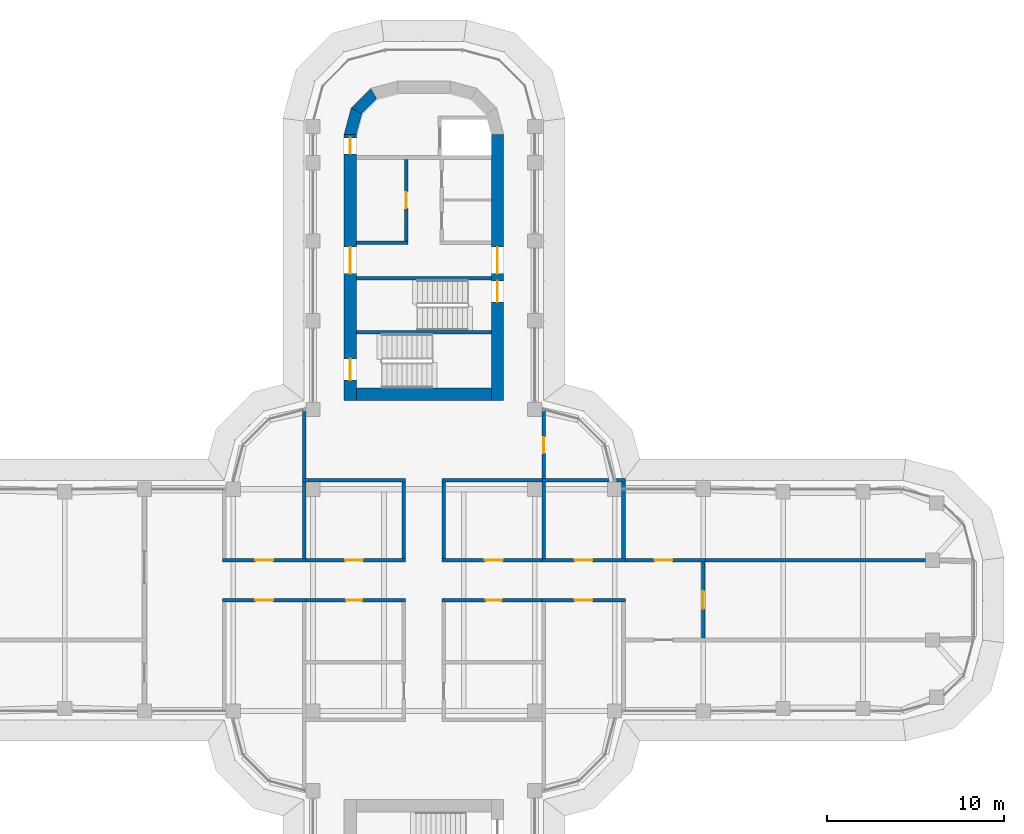
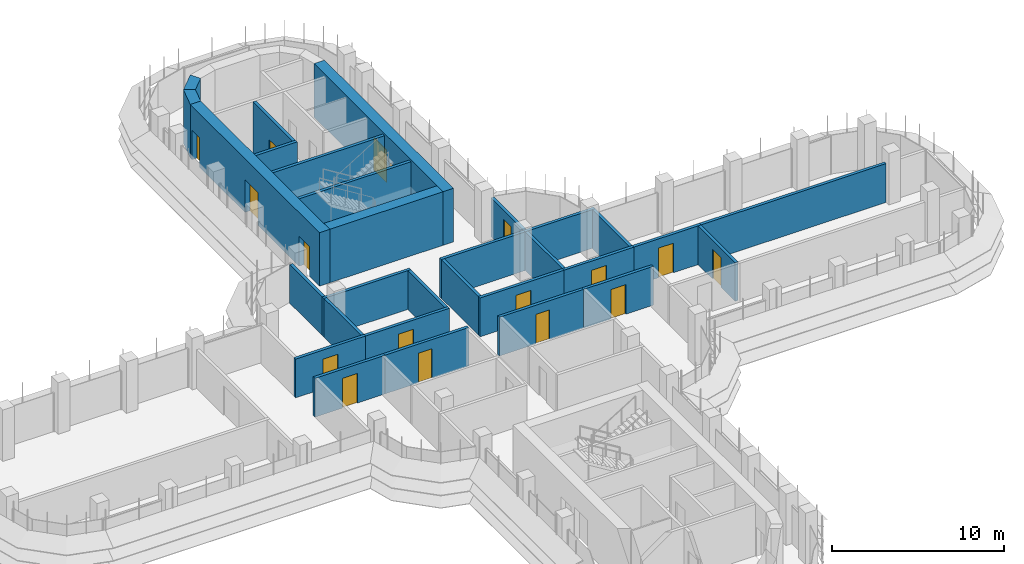
# One storey, part 14 of 19: 30 walls, 17 doors, 17 openings.
"""IFC4 building model written with IfcOpenShell, lengths in metres."""

from ifc_helpers import new_model, si_unit, direction, frame, frame_2d, origin, place, context, subcontext, project, spatial, polyline, rectangle, outline, extrude, material, layer, layer_set, type_object, element, fill, save


model = new_model("IFC4")

# Units and contexts
model_context = context("Model", 3, precision=1e-05, world=origin(), true_north=direction((0.0, 1.0)))
body_context = subcontext(model_context, "Body", "Model", "MODEL_VIEW")
ifc_project = project(units=[si_unit("LENGTHUNIT", "METRE"), si_unit("AREAUNIT", "SQUARE_METRE"), si_unit("VOLUMEUNIT", "CUBIC_METRE"), si_unit("PLANEANGLEUNIT", "RADIAN"), si_unit("MASSUNIT", "GRAM", prefix="KILO")], contexts=[model_context])

# Site, building, storey
site_placement = place(None, origin())
site = spatial("IfcSite", under=ifc_project, at=site_placement, CompositionType="ELEMENT")
building_placement = place(site_placement, origin())
building = spatial("IfcBuilding", under=site, at=building_placement, Name="Zarbagh Exchange Tower", CompositionType="ELEMENT")
storey_placement = place(building_placement, frame((0.0, 0.0, 182.800048828125)))
storey = spatial("IfcBuildingStorey", under=building, at=storey_placement, Name="L44", CompositionType="ELEMENT", Elevation=182.800048828125)

# Wall, opening, door
ifc_material_1 = material(Name="Fire-rated plasterboard partition")
ifc_layer_1 = layer(ifc_material_1, 0.199951171875)
ifc_layer_set_1 = layer_set([ifc_layer_1], Name="RATED PARTITION 200")
wall_type_1 = type_object("IfcWallType", Name="RATED PARTITION 200", PredefinedType="PARTITIONING", material=ifc_layer_set_1)
wall_1_placement = place(storey_placement, frame((1.02490234375, 2.25, 0.0), z_axis=(0.0, 0.0, 1.0), x_axis=(1.0, 0.0, 0.0)))
wall_1 = element("IfcWall", 1, at=wall_1_placement, inside=storey, type_object=wall_type_1, Name="Partition W-1901", PredefinedType="PARTITIONING", context=body_context, shape_type="SweptSolid", body=[
    extrude(rectangle(XDim=5.8251953125, YDim=0.199951171875, at=frame_2d((2.91259765625, 0.0))), origin(), (0.0, 0.0, 1.0), 2.75),
])
opening_1_placement = place(wall_1_placement, frame((2.41259765625, 0.0, 0.0)))
opening_1 = element("IfcOpeningElement", 2, at=opening_1_placement, cuts=wall_1, Name="Opening D-1904", PredefinedType="OPENING", context=body_context, shape_type="SweptSolid", body=[
    extrude(rectangle(XDim=1.0, YDim=2.10009765625, at=frame_2d((0.5, 1.050048828125))), frame((0.0, 0.10986328125, 0.0), z_axis=(0.0, -1.0, 0.0), x_axis=(1.0, 0.0, 0.0)), (0.0, 0.0, 1.0), 0.219970703125),
])
ifc_material_2 = material(Name="Steel door set", Category="steel")
door_type_1 = type_object("IfcDoorType", Name="FIRE DOOR 1000 X 2100 FD30S", OperationType="NOTDEFINED", PredefinedType="DOOR", material=ifc_material_2)
door_1_placement = place(opening_1_placement, origin())
door_1 = element("IfcDoor", 3, at=door_1_placement, inside=storey, type_object=door_type_1, Name="Door D-1904", OperationType="SINGLE_SWING_RIGHT", OverallHeight=2.10009765625, OverallWidth=1.0, PredefinedType="DOOR", context=body_context, shape_type="SweptSolid", body=[
    extrude(rectangle(XDim=1.0, YDim=2.10009765625, at=frame_2d((0.5, 1.050048828125))), frame((0.0, 0.02490234375, 0.0), z_axis=(0.0, -1.0, 0.0), x_axis=(1.0, 0.0, 0.0)), (0.0, 0.0, 1.0), 0.050048828125),
])
fill(opening_1, door_1)

wall_2_placement = place(storey_placement, frame((6.64990234375, 2.25, 0.0), z_axis=(0.0, 0.0, 1.0), x_axis=(1.0, 0.0, 0.0)))
wall_2 = element("IfcWall", 4, at=wall_2_placement, inside=storey, type_object=wall_type_1, Name="Partition W-1902", PredefinedType="PARTITIONING", context=body_context, shape_type="SweptSolid", body=[
    extrude(rectangle(XDim=4.7001953125, YDim=0.199951171875, at=frame_2d((2.35009765625, 0.0))), origin(), (0.0, 0.0, 1.0), 2.75),
])
opening_2_placement = place(wall_2_placement, frame((1.85009765625, 0.0, 0.0)))
opening_2 = element("IfcOpeningElement", 5, at=opening_2_placement, cuts=wall_2, Name="Opening D-1905", PredefinedType="OPENING", context=body_context, shape_type="SweptSolid", body=[
    extrude(rectangle(XDim=1.0, YDim=2.10009765625, at=frame_2d((0.5, 1.050048828125))), frame((0.0, 0.10986328125, 0.0), z_axis=(0.0, -1.0, 0.0), x_axis=(1.0, 0.0, 0.0)), (0.0, 0.0, 1.0), 0.219970703125),
])
door_2_placement = place(opening_2_placement, origin())
door_2 = element("IfcDoor", 6, at=door_2_placement, inside=storey, type_object=door_type_1, Name="Door D-1905", OperationType="SINGLE_SWING_RIGHT", OverallHeight=2.10009765625, OverallWidth=1.0, PredefinedType="DOOR", context=body_context, shape_type="SweptSolid", body=[
    extrude(rectangle(XDim=1.0, YDim=2.10009765625, at=frame_2d((0.5, 1.050048828125))), frame((0.0, 0.02490234375, 0.0), z_axis=(0.0, -1.0, 0.0), x_axis=(1.0, 0.0, 0.0)), (0.0, 0.0, 1.0), 0.050048828125),
])
fill(opening_2, door_2)

wall_3_placement = place(storey_placement, frame((-6.85009765625, 2.25, 0.0), z_axis=(0.0, 0.0, 1.0), x_axis=(1.0, 0.0, 0.0)))
wall_3 = element("IfcWall", 7, at=wall_3_placement, inside=storey, type_object=wall_type_1, Name="Partition W-1903", PredefinedType="PARTITIONING", context=body_context, shape_type="SweptSolid", body=[
    extrude(rectangle(XDim=5.8251953125, YDim=0.199951171875, at=frame_2d((2.91259765625, 0.0))), origin(), (0.0, 0.0, 1.0), 2.75),
])
opening_3_placement = place(wall_3_placement, frame((2.41259765625, 0.0, 0.0)))
opening_3 = element("IfcOpeningElement", 8, at=opening_3_placement, cuts=wall_3, Name="Opening D-1907", PredefinedType="OPENING", context=body_context, shape_type="SweptSolid", body=[
    extrude(rectangle(XDim=1.0, YDim=2.10009765625, at=frame_2d((0.5, 1.050048828125))), frame((0.0, 0.10986328125, 0.0), z_axis=(0.0, -1.0, 0.0), x_axis=(1.0, 0.0, 0.0)), (0.0, 0.0, 1.0), 0.219970703125),
])
door_3_placement = place(opening_3_placement, origin())
door_3 = element("IfcDoor", 9, at=door_3_placement, inside=storey, type_object=door_type_1, Name="Door D-1907", OperationType="SINGLE_SWING_RIGHT", OverallHeight=2.10009765625, OverallWidth=1.0, PredefinedType="DOOR", context=body_context, shape_type="SweptSolid", body=[
    extrude(rectangle(XDim=1.0, YDim=2.10009765625, at=frame_2d((0.5, 1.050048828125))), frame((0.0, 0.02490234375, 0.0), z_axis=(0.0, -1.0, 0.0), x_axis=(1.0, 0.0, 0.0)), (0.0, 0.0, 1.0), 0.050048828125),
])
fill(opening_3, door_3)

wall_4_placement = place(storey_placement, frame((-11.35009765625, 2.25, 0.0), z_axis=(0.0, 0.0, 1.0), x_axis=(1.0, 0.0, 0.0)))
wall_4 = element("IfcWall", 10, at=wall_4_placement, inside=storey, type_object=wall_type_1, Name="Partition W-1904", PredefinedType="PARTITIONING", context=body_context, shape_type="SweptSolid", body=[
    extrude(rectangle(XDim=4.7001953125, YDim=0.199951171875, at=frame_2d((2.35009765625, 0.0))), origin(), (0.0, 0.0, 1.0), 2.75),
])
opening_4_placement = place(wall_4_placement, frame((1.85009765625, 0.0, 0.0)))
opening_4 = element("IfcOpeningElement", 11, at=opening_4_placement, cuts=wall_4, Name="Opening D-1908", PredefinedType="OPENING", context=body_context, shape_type="SweptSolid", body=[
    extrude(rectangle(XDim=1.0, YDim=2.10009765625, at=frame_2d((0.5, 1.050048828125))), frame((0.0, 0.10986328125, 0.0), z_axis=(0.0, -1.0, 0.0), x_axis=(1.0, 0.0, 0.0)), (0.0, 0.0, 1.0), 0.219970703125),
])
door_4_placement = place(opening_4_placement, origin())
door_4 = element("IfcDoor", 12, at=door_4_placement, inside=storey, type_object=door_type_1, Name="Door D-1908", OperationType="SINGLE_SWING_RIGHT", OverallHeight=2.10009765625, OverallWidth=1.0, PredefinedType="DOOR", context=body_context, shape_type="SweptSolid", body=[
    extrude(rectangle(XDim=1.0, YDim=2.10009765625, at=frame_2d((0.5, 1.050048828125))), frame((0.0, 0.02490234375, 0.0), z_axis=(0.0, -1.0, 0.0), x_axis=(1.0, 0.0, 0.0)), (0.0, 0.0, 1.0), 0.050048828125),
])
fill(opening_4, door_4)

wall_5_placement = place(storey_placement, frame((6.85009765625, 0.0, 0.0), z_axis=(0.0, 0.0, 1.0), x_axis=(-1.0, 0.0, 0.0)))
wall_5 = element("IfcWall", 13, at=wall_5_placement, inside=storey, type_object=wall_type_1, Name="Partition W-1905", PredefinedType="PARTITIONING", context=body_context, shape_type="SweptSolid", body=[
    extrude(rectangle(XDim=5.8251953125, YDim=0.199951171875, at=frame_2d((2.91259765625, 0.0))), origin(), (0.0, 0.0, 1.0), 2.75),
])
opening_5_placement = place(wall_5_placement, frame((2.46240234375, 0.0, 0.0)))
opening_5 = element("IfcOpeningElement", 14, at=opening_5_placement, cuts=wall_5, Name="Opening D-1909", PredefinedType="OPENING", context=body_context, shape_type="SweptSolid", body=[
    extrude(rectangle(XDim=0.89990234375, YDim=2.10009765625, at=frame_2d((0.449951171875, 1.050048828125))), frame((0.0, 0.10986328125, 0.0), z_axis=(0.0, -1.0, 0.0), x_axis=(1.0, 0.0, 0.0)), (0.0, 0.0, 1.0), 0.219970703125),
])
ifc_material_3 = material(Name="Timber door leaf", Category="wood")
door_type_2 = type_object("IfcDoorType", Name="DOOR 900 X 2100", OperationType="NOTDEFINED", PredefinedType="DOOR", material=ifc_material_3)
door_5_placement = place(opening_5_placement, origin())
door_5 = element("IfcDoor", 15, at=door_5_placement, inside=storey, type_object=door_type_2, Name="Door D-1909", OperationType="SINGLE_SWING_RIGHT", OverallHeight=2.10009765625, OverallWidth=0.89990234375, PredefinedType="DOOR", context=body_context, shape_type="SweptSolid", body=[
    extrude(rectangle(XDim=0.89990234375, YDim=2.10009765625, at=frame_2d((0.449951171875, 1.050048828125))), frame((0.0, 0.02490234375, 0.0), z_axis=(0.0, -1.0, 0.0), x_axis=(1.0, 0.0, 0.0)), (0.0, 0.0, 1.0), 0.050048828125),
])
fill(opening_5, door_5)

wall_6_placement = place(storey_placement, frame((11.35009765625, 0.0, 0.0), z_axis=(0.0, 0.0, 1.0), x_axis=(-1.0, 0.0, 0.0)))
wall_6 = element("IfcWall", 16, at=wall_6_placement, inside=storey, type_object=wall_type_1, Name="Partition W-1906", PredefinedType="PARTITIONING", context=body_context, shape_type="SweptSolid", body=[
    extrude(rectangle(XDim=4.7001953125, YDim=0.199951171875, at=frame_2d((2.35009765625, 0.0))), origin(), (0.0, 0.0, 1.0), 2.75),
])
opening_6_placement = place(wall_6_placement, frame((1.85009765625, 0.0, 0.0)))
opening_6 = element("IfcOpeningElement", 17, at=opening_6_placement, cuts=wall_6, Name="Opening D-1911", PredefinedType="OPENING", context=body_context, shape_type="SweptSolid", body=[
    extrude(rectangle(XDim=1.0, YDim=2.10009765625, at=frame_2d((0.5, 1.050048828125))), frame((0.0, 0.10986328125, 0.0), z_axis=(0.0, -1.0, 0.0), x_axis=(1.0, 0.0, 0.0)), (0.0, 0.0, 1.0), 0.219970703125),
])
door_6_placement = place(opening_6_placement, origin())
door_6 = element("IfcDoor", 18, at=door_6_placement, inside=storey, type_object=door_type_1, Name="Door D-1911", OperationType="SINGLE_SWING_RIGHT", OverallHeight=2.10009765625, OverallWidth=1.0, PredefinedType="DOOR", context=body_context, shape_type="SweptSolid", body=[
    extrude(rectangle(XDim=1.0, YDim=2.10009765625, at=frame_2d((0.5, 1.050048828125))), frame((0.0, 0.02490234375, 0.0), z_axis=(0.0, -1.0, 0.0), x_axis=(1.0, 0.0, 0.0)), (0.0, 0.0, 1.0), 0.050048828125),
])
fill(opening_6, door_6)

wall_7_placement = place(storey_placement, frame((-1.02490234375, 0.0, 0.0), z_axis=(0.0, 0.0, 1.0), x_axis=(-1.0, 0.0, 0.0)))
wall_7 = element("IfcWall", 19, at=wall_7_placement, inside=storey, type_object=wall_type_1, Name="Partition W-1907", PredefinedType="PARTITIONING", context=body_context, shape_type="SweptSolid", body=[
    extrude(rectangle(XDim=5.8251953125, YDim=0.199951171875, at=frame_2d((2.91259765625, 0.0))), origin(), (0.0, 0.0, 1.0), 2.75),
])
opening_7_placement = place(wall_7_placement, frame((2.46240234375, 0.0, 0.0)))
opening_7 = element("IfcOpeningElement", 20, at=opening_7_placement, cuts=wall_7, Name="Opening D-1912", PredefinedType="OPENING", context=body_context, shape_type="SweptSolid", body=[
    extrude(rectangle(XDim=0.89990234375, YDim=2.10009765625, at=frame_2d((0.449951171875, 1.050048828125))), frame((0.0, 0.10986328125, 0.0), z_axis=(0.0, -1.0, 0.0), x_axis=(1.0, 0.0, 0.0)), (0.0, 0.0, 1.0), 0.219970703125),
])
door_7_placement = place(opening_7_placement, origin())
door_7 = element("IfcDoor", 21, at=door_7_placement, inside=storey, type_object=door_type_2, Name="Door D-1912", OperationType="SINGLE_SWING_RIGHT", OverallHeight=2.10009765625, OverallWidth=0.89990234375, PredefinedType="DOOR", context=body_context, shape_type="SweptSolid", body=[
    extrude(rectangle(XDim=0.89990234375, YDim=2.10009765625, at=frame_2d((0.449951171875, 1.050048828125))), frame((0.0, 0.02490234375, 0.0), z_axis=(0.0, -1.0, 0.0), x_axis=(1.0, 0.0, 0.0)), (0.0, 0.0, 1.0), 0.050048828125),
])
fill(opening_7, door_7)

wall_8_placement = place(storey_placement, frame((-6.64990234375, 0.0, 0.0), z_axis=(0.0, 0.0, 1.0), x_axis=(-1.0, 0.0, 0.0)))
wall_8 = element("IfcWall", 22, at=wall_8_placement, inside=storey, type_object=wall_type_1, Name="Partition W-1908", PredefinedType="PARTITIONING", context=body_context, shape_type="SweptSolid", body=[
    extrude(rectangle(XDim=4.7001953125, YDim=0.199951171875, at=frame_2d((2.35009765625, 0.0))), origin(), (0.0, 0.0, 1.0), 2.75),
])
opening_8_placement = place(wall_8_placement, frame((1.85009765625, 0.0, 0.0)))
opening_8 = element("IfcOpeningElement", 23, at=opening_8_placement, cuts=wall_8, Name="Opening D-1914", PredefinedType="OPENING", context=body_context, shape_type="SweptSolid", body=[
    extrude(rectangle(XDim=1.0, YDim=2.10009765625, at=frame_2d((0.5, 1.050048828125))), frame((0.0, 0.10986328125, 0.0), z_axis=(0.0, -1.0, 0.0), x_axis=(1.0, 0.0, 0.0)), (0.0, 0.0, 1.0), 0.219970703125),
])
door_8_placement = place(opening_8_placement, origin())
door_8 = element("IfcDoor", 24, at=door_8_placement, inside=storey, type_object=door_type_1, Name="Door D-1914", OperationType="SINGLE_SWING_RIGHT", OverallHeight=2.10009765625, OverallWidth=1.0, PredefinedType="DOOR", context=body_context, shape_type="SweptSolid", body=[
    extrude(rectangle(XDim=1.0, YDim=2.10009765625, at=frame_2d((0.5, 1.050048828125))), frame((0.0, 0.02490234375, 0.0), z_axis=(0.0, -1.0, 0.0), x_axis=(1.0, 0.0, 0.0)), (0.0, 0.0, 1.0), 0.050048828125),
])
fill(opening_8, door_8)

# Walls
for number, where, z_axis, x_axis, name in (
    (25, (1.125, 2.35009765625, 0.0), (0.0, 0.0, 1.0), (0.0, 1.0, 0.0), "Partition W-1909"),
    (26, (-1.125, 2.35009765625, 0.0), (0.0, 0.0, 1.0), (0.0, 1.0, 0.0), "Partition W-1910"),
):
    element("IfcWall", number, at=place(storey_placement, frame(where, z_axis=z_axis, x_axis=x_axis)), inside=storey, type_object=wall_type_1, Name=name, PredefinedType="PARTITIONING", context=body_context, shape_type="SweptSolid", body=[
        extrude(rectangle(XDim=4.2998046875, YDim=0.199951171875, at=frame_2d((2.14990234375, 0.0))), origin(), (0.0, 0.0, 1.0), 2.75),
    ])
wall_9_placement = place(storey_placement, frame((1.02490234375, 6.75, 0.0), z_axis=(0.0, 0.0, 1.0), x_axis=(1.0, 0.0, 0.0)))
element("IfcWall", 27, at=wall_9_placement, inside=storey, type_object=wall_type_1, Name="Partition W-1915", PredefinedType="PARTITIONING", context=body_context, shape_type="SweptSolid", body=[
    extrude(rectangle(XDim=5.8251953125, YDim=0.199951171875, at=frame_2d((2.91259765625, 0.0))), origin(), (0.0, 0.0, 1.0), 2.75),
])

# Wall, opening, door
wall_10_placement = place(storey_placement, frame((6.75, 10.6298828125, 0.0), z_axis=(0.0, 0.0, 1.0), x_axis=(0.0, -1.0, 0.0)))
wall_10 = element("IfcWall", 28, at=wall_10_placement, inside=storey, type_object=wall_type_1, Name="Partition W-1916", PredefinedType="PARTITIONING", context=body_context, shape_type="SweptSolid", body=[
    extrude(rectangle(XDim=3.77978515625, YDim=0.199951171875, at=frame_2d((1.889892578125, 0.0))), origin(), (0.0, 0.0, 1.0), 2.75),
])
opening_9_placement = place(wall_10_placement, frame((1.43994140625, 0.0, 0.0)))
opening_9 = element("IfcOpeningElement", 29, at=opening_9_placement, cuts=wall_10, Name="Opening D-1906", PredefinedType="OPENING", context=body_context, shape_type="SweptSolid", body=[
    extrude(rectangle(XDim=0.89990234375, YDim=2.10009765625, at=frame_2d((0.449951171875, 1.050048828125))), frame((0.0, 0.10986328125, 0.0), z_axis=(0.0, -1.0, 0.0), x_axis=(1.0, 0.0, 0.0)), (0.0, 0.0, 1.0), 0.219970703125),
])
door_9_placement = place(opening_9_placement, origin())
door_9 = element("IfcDoor", 30, at=door_9_placement, inside=storey, type_object=door_type_2, Name="Door D-1906", OperationType="SINGLE_SWING_RIGHT", OverallHeight=2.10009765625, OverallWidth=0.89990234375, PredefinedType="DOOR", context=body_context, shape_type="SweptSolid", body=[
    extrude(rectangle(XDim=0.89990234375, YDim=2.10009765625, at=frame_2d((0.449951171875, 1.050048828125))), frame((0.0, 0.02490234375, 0.0), z_axis=(0.0, -1.0, 0.0), x_axis=(1.0, 0.0, 0.0)), (0.0, 0.0, 1.0), 0.050048828125),
])
fill(opening_9, door_9)

# Walls
wall_11_placement = place(storey_placement, frame((-6.85009765625, 6.75, 0.0), z_axis=(0.0, 0.0, 1.0), x_axis=(1.0, 0.0, 0.0)))
element("IfcWall", 31, at=wall_11_placement, inside=storey, type_object=wall_type_1, Name="Partition W-1917", PredefinedType="PARTITIONING", context=body_context, shape_type="SweptSolid", body=[
    extrude(rectangle(XDim=5.8251953125, YDim=0.199951171875, at=frame_2d((2.91259765625, 0.0))), origin(), (0.0, 0.0, 1.0), 2.75),
])
wall_12_placement = place(storey_placement, frame((-6.75, 6.85009765625, 0.0), z_axis=(0.0, 0.0, 1.0), x_axis=(0.0, 1.0, 0.0)))
element("IfcWall", 32, at=wall_12_placement, inside=storey, type_object=wall_type_1, Name="Partition W-1918", PredefinedType="PARTITIONING", context=body_context, shape_type="SweptSolid", body=[
    extrude(rectangle(XDim=3.77978515625, YDim=0.199951171875, at=frame_2d((1.889892578125, 0.0))), origin(), (0.0, 0.0, 1.0), 2.75),
])
wall_13_placement = place(storey_placement, frame((6.75, 2.35009765625, 0.0), z_axis=(0.0, 0.0, 1.0), x_axis=(0.0, 1.0, 0.0)))
element("IfcWall", 33, at=wall_13_placement, inside=storey, type_object=wall_type_1, Name="Partition W-1923", PredefinedType="PARTITIONING", context=body_context, shape_type="SweptSolid", body=[
    extrude(rectangle(XDim=4.2998046875, YDim=0.199951171875, at=frame_2d((2.14990234375, 0.0))), origin(), (0.0, 0.0, 1.0), 2.75),
])
wall_14_placement = place(storey_placement, frame((6.64990234375, 6.75, 0.0), z_axis=(0.0, 0.0, 1.0), x_axis=(1.0, 0.0, 0.0)))
element("IfcWall", 34, at=wall_14_placement, inside=storey, type_object=wall_type_1, Name="Partition W-1924", PredefinedType="PARTITIONING", context=body_context, shape_type="SweptSolid", body=[
    extrude(rectangle(XDim=4.7001953125, YDim=0.199951171875, at=frame_2d((2.35009765625, 0.0))), origin(), (0.0, 0.0, 1.0), 2.75),
])
for number, where, z_axis, x_axis, name in (
    (35, (11.25, 2.35009765625, 0.0), (0.0, 0.0, 1.0), (0.0, 1.0, 0.0), "Partition W-1925"),
    (36, (-6.75, 2.35009765625, 0.0), (0.0, 0.0, 1.0), (0.0, 1.0, 0.0), "Partition W-1926"),
):
    element("IfcWall", number, at=place(storey_placement, frame(where, z_axis=z_axis, x_axis=x_axis)), inside=storey, type_object=wall_type_1, Name=name, PredefinedType="PARTITIONING", context=body_context, shape_type="SweptSolid", body=[
        extrude(rectangle(XDim=4.2998046875, YDim=0.199951171875, at=frame_2d((2.14990234375, 0.0))), origin(), (0.0, 0.0, 1.0), 2.75),
    ])

# Wall, opening, door
wall_15_placement = place(storey_placement, frame((11.14990234375, 2.25, 0.0), z_axis=(0.0, 0.0, 1.0), x_axis=(1.0, 0.0, 0.0)))
wall_15 = element("IfcWall", 37, at=wall_15_placement, inside=storey, type_object=wall_type_1, Name="Partition W-1937", PredefinedType="PARTITIONING", context=body_context, shape_type="SweptSolid", body=[
    extrude(rectangle(XDim=4.7001953125, YDim=0.199951171875, at=frame_2d((2.35009765625, 0.0))), origin(), (0.0, 0.0, 1.0), 2.75),
])
opening_10_placement = place(wall_15_placement, frame((1.85009765625, 0.0, 0.0)))
opening_10 = element("IfcOpeningElement", 38, at=opening_10_placement, cuts=wall_15, Name="Opening D-1902", PredefinedType="OPENING", context=body_context, shape_type="SweptSolid", body=[
    extrude(rectangle(XDim=1.0, YDim=2.10009765625, at=frame_2d((0.5, 1.050048828125))), frame((0.0, 0.10986328125, 0.0), z_axis=(0.0, -1.0, 0.0), x_axis=(1.0, 0.0, 0.0)), (0.0, 0.0, 1.0), 0.219970703125),
])
door_10_placement = place(opening_10_placement, origin())
door_10 = element("IfcDoor", 39, at=door_10_placement, inside=storey, type_object=door_type_1, Name="Door D-1902", OperationType="SINGLE_SWING_RIGHT", OverallHeight=2.10009765625, OverallWidth=1.0, PredefinedType="DOOR", context=body_context, shape_type="SweptSolid", body=[
    extrude(rectangle(XDim=1.0, YDim=2.10009765625, at=frame_2d((0.5, 1.050048828125))), frame((0.0, 0.02490234375, 0.0), z_axis=(0.0, -1.0, 0.0), x_axis=(1.0, 0.0, 0.0)), (0.0, 0.0, 1.0), 0.050048828125),
])
fill(opening_10, door_10)

wall_16_placement = place(storey_placement, frame((15.75, 2.14990234375, 0.0), z_axis=(0.0, 0.0, 1.0), x_axis=(0.0, -1.0, 0.0)))
wall_16 = element("IfcWall", 40, at=wall_16_placement, inside=storey, type_object=wall_type_1, Name="Partition W-1939", PredefinedType="PARTITIONING", context=body_context, shape_type="SweptSolid", body=[
    extrude(rectangle(XDim=4.2998046875, YDim=0.199951171875, at=frame_2d((2.14990234375, 0.0))), origin(), (0.0, 0.0, 1.0), 2.75),
])
opening_11_placement = place(wall_16_placement, frame((1.64990234375, 0.0, 0.0)))
opening_11 = element("IfcOpeningElement", 41, at=opening_11_placement, cuts=wall_16, Name="Opening D-1901", PredefinedType="OPENING", context=body_context, shape_type="SweptSolid", body=[
    extrude(rectangle(XDim=1.0, YDim=2.10009765625, at=frame_2d((0.5, 1.050048828125))), frame((0.0, 0.10986328125, 0.0), z_axis=(0.0, -1.0, 0.0), x_axis=(1.0, 0.0, 0.0)), (0.0, 0.0, 1.0), 0.219970703125),
])
door_11_placement = place(opening_11_placement, origin())
door_11 = element("IfcDoor", 42, at=door_11_placement, inside=storey, type_object=door_type_1, Name="Door D-1901", OperationType="SINGLE_SWING_RIGHT", OverallHeight=2.10009765625, OverallWidth=1.0, PredefinedType="DOOR", context=body_context, shape_type="SweptSolid", body=[
    extrude(rectangle(XDim=1.0, YDim=2.10009765625, at=frame_2d((0.5, 1.050048828125))), frame((0.0, 0.02490234375, 0.0), z_axis=(0.0, -1.0, 0.0), x_axis=(1.0, 0.0, 0.0)), (0.0, 0.0, 1.0), 0.050048828125),
])
fill(opening_11, door_11)

# Walls
wall_17_placement = place(storey_placement, frame((15.64990234375, 2.25, 0.0), z_axis=(0.0, 0.0, 1.0), x_axis=(1.0, 0.0, 0.0)))
element("IfcWall", 43, at=wall_17_placement, inside=storey, type_object=wall_type_1, Name="Partition W-1940", PredefinedType="PARTITIONING", context=body_context, shape_type="SweptSolid", body=[
    extrude(rectangle(XDim=12.6201171875, YDim=0.199951171875, at=frame_2d((6.31005859375, 0.0))), origin(), (0.0, 0.0, 1.0), 2.75),
])
ifc_material_4 = material(Name="Concrete C50/60", Category="concrete")
ifc_layer_2 = layer(ifc_material_4, 0.699951171875)
ifc_layer_set_2 = layer_set([ifc_layer_2], Name="RC core corner wall 700 C50/60")
wall_type_2 = type_object("IfcWallType", Name="RC core corner wall 700 C50/60", PredefinedType="SHEAR", material=ifc_layer_set_2)
wall_18_placement = place(storey_placement, origin())
element("IfcWall", 44, at=wall_18_placement, inside=storey, type_object=wall_type_2, Name="CW6 core N corner W", PredefinedType="SHEAR", context=body_context, shape_type="SweptSolid", body=[
    extrude(outline(polyline([(-4.5, 26.25), (-4.09814453125, 27.75), (-3.491943359375, 27.39990234375), (-3.800048828125, 26.25), (-4.5, 26.25)])), origin(), (0.0, 0.0, 1.0), 3.800048828125),
])
wall_19_placement = place(storey_placement, origin())
element("IfcWall", 45, at=wall_19_placement, inside=storey, type_object=wall_type_2, Name="CW6 core N corner W", PredefinedType="SHEAR", context=body_context, shape_type="SweptSolid", body=[
    extrude(outline(polyline([(-4.09814453125, 27.75), (-3.0, 28.84814453125), (-2.64990234375, 28.241943359375), (-3.491943359375, 27.39990234375), (-4.09814453125, 27.75)])), origin(), (0.0, 0.0, 1.0), 3.800048828125),
])

# Wall, openings, doors
ifc_layer_3 = layer(ifc_material_4, 0.699951171875)
ifc_layer_set_3 = layer_set([ifc_layer_3], Name="RC core wall 700 C50/60")
wall_type_3 = type_object("IfcWallType", Name="RC core wall 700 C50/60", PredefinedType="SHEAR", material=ifc_layer_set_3)
wall_20_placement = place(storey_placement, frame((-4.14990234375, 11.25, 0.0), z_axis=(0.0, 0.0, 1.0), x_axis=(0.0, 1.0, 0.0)))
wall_20 = element("IfcWall", 46, at=wall_20_placement, inside=storey, type_object=wall_type_3, Name="CW5 core N W", PredefinedType="SHEAR", context=body_context, shape_type="SweptSolid", body=[
    extrude(rectangle(XDim=15.0, YDim=0.699951171875, at=frame_2d((7.5, 0.0))), origin(), (0.0, 0.0, 1.0), 3.800048828125),
])
opening_12_placement = place(wall_20_placement, frame((7.14990234375, 0.0, 0.0)))
opening_12 = element("IfcOpeningElement", 47, at=opening_12_placement, cuts=wall_20, Name="Opening CD1-1500", PredefinedType="OPENING", context=body_context, shape_type="SweptSolid", body=[
    extrude(rectangle(XDim=1.5, YDim=2.300048828125, at=frame_2d((0.75, 1.14990234375))), frame((0.0, 0.35986328125, 0.0), z_axis=(0.0, -1.0, 0.0), x_axis=(1.0, 0.0, 0.0)), (0.0, 0.0, 1.0), 0.719970703125),
])
opening_13_placement = place(wall_20_placement, frame((13.89990234375, 0.0, 0.0)))
opening_13 = element("IfcOpeningElement", 48, at=opening_13_placement, cuts=wall_20, Name="Opening CD2-900", PredefinedType="OPENING", context=body_context, shape_type="SweptSolid", body=[
    extrude(rectangle(XDim=0.89990234375, YDim=2.10009765625, at=frame_2d((0.449951171875, 1.050048828125))), frame((0.0, 0.35986328125, 0.0), z_axis=(0.0, -1.0, 0.0), x_axis=(1.0, 0.0, 0.0)), (0.0, 0.0, 1.0), 0.719970703125),
])
opening_14_placement = place(wall_20_placement, frame((1.14990234375, 0.0, 0.0)))
opening_14 = element("IfcOpeningElement", 49, at=opening_14_placement, cuts=wall_20, Name="Opening SD1-1200", PredefinedType="OPENING", context=body_context, shape_type="SweptSolid", body=[
    extrude(rectangle(XDim=1.199951171875, YDim=2.10009765625, at=frame_2d((0.60009765625, 1.050048828125))), frame((0.0, 0.35986328125, 0.0), z_axis=(0.0, -1.0, 0.0), x_axis=(1.0, 0.0, 0.0)), (0.0, 0.0, 1.0), 0.719970703125),
])
ifc_material_5 = material(Name="Steel", Category="steel")
door_type_3 = type_object("IfcDoorType", Name="Exit stair door 1200 x 2100", OperationType="NOTDEFINED", PredefinedType="DOOR", material=ifc_material_5)
door_12_placement = place(opening_14_placement, origin())
door_12 = element("IfcDoor", 50, at=door_12_placement, inside=storey, type_object=door_type_3, Name="North core stair door ST2", OperationType="SINGLE_SWING_RIGHT", OverallHeight=2.10009765625, OverallWidth=1.199951171875, PredefinedType="DOOR", context=body_context, shape_type="SweptSolid", body=[
    extrude(rectangle(XDim=1.199951171875, YDim=2.10009765625, at=frame_2d((0.60009765625, 1.050048828125))), frame((0.0, 0.02490234375, 0.0), z_axis=(0.0, -1.0, 0.0), x_axis=(1.0, 0.0, 0.0)), (0.0, 0.0, 1.0), 0.050048828125),
])
fill(opening_14, door_12)
door_type_4 = type_object("IfcDoorType", Name="Firefighting lobby door 900 x 2100", OperationType="NOTDEFINED", PredefinedType="DOOR", material=ifc_material_5)
door_13_placement = place(opening_13_placement, origin())
door_13 = element("IfcDoor", 51, at=door_13_placement, inside=storey, type_object=door_type_4, Name="North core firefighting lobby door FF-W", OperationType="SINGLE_SWING_RIGHT", OverallHeight=2.10009765625, OverallWidth=0.89990234375, PredefinedType="DOOR", context=body_context, shape_type="SweptSolid", body=[
    extrude(rectangle(XDim=0.89990234375, YDim=2.10009765625, at=frame_2d((0.449951171875, 1.050048828125))), frame((0.0, 0.02490234375, 0.0), z_axis=(0.0, -1.0, 0.0), x_axis=(1.0, 0.0, 0.0)), (0.0, 0.0, 1.0), 0.050048828125),
])
fill(opening_13, door_13)
door_type_5 = type_object("IfcDoorType", Name="Lift lobby double door 1500 x 2300", OperationType="NOTDEFINED", PredefinedType="DOOR", material=ifc_material_5)
door_14_placement = place(opening_12_placement, origin())
door_14 = element("IfcDoor", 52, at=door_14_placement, inside=storey, type_object=door_type_5, Name="North core lift lobby door LOBBY-W", OperationType="DOUBLE_DOOR_SINGLE_SWING", OverallHeight=2.300048828125, OverallWidth=1.5, PredefinedType="DOOR", context=body_context, shape_type="SweptSolid", body=[
    extrude(rectangle(XDim=1.5, YDim=2.300048828125, at=frame_2d((0.75, 1.14990234375))), frame((0.0, 0.02490234375, 0.0), z_axis=(0.0, -1.0, 0.0), x_axis=(1.0, 0.0, 0.0)), (0.0, 0.0, 1.0), 0.050048828125),
])
fill(opening_12, door_14)

wall_21_placement = place(storey_placement, frame((4.14990234375, 11.25, 0.0), z_axis=(0.0, 0.0, 1.0), x_axis=(0.0, 1.0, 0.0)))
wall_21 = element("IfcWall", 53, at=wall_21_placement, inside=storey, type_object=wall_type_3, Name="CW5 core N E", PredefinedType="SHEAR", context=body_context, shape_type="SweptSolid", body=[
    extrude(rectangle(XDim=15.0, YDim=0.699951171875, at=frame_2d((7.5, 0.0))), origin(), (0.0, 0.0, 1.0), 3.800048828125),
])
opening_15_placement = place(wall_21_placement, frame((7.14990234375, 0.0, 0.0)))
opening_15 = element("IfcOpeningElement", 54, at=opening_15_placement, cuts=wall_21, Name="Opening CD1-1500", PredefinedType="OPENING", context=body_context, shape_type="SweptSolid", body=[
    extrude(rectangle(XDim=1.5, YDim=2.300048828125, at=frame_2d((0.75, 1.14990234375))), frame((0.0, 0.35986328125, 0.0), z_axis=(0.0, -1.0, 0.0), x_axis=(1.0, 0.0, 0.0)), (0.0, 0.0, 1.0), 0.719970703125),
])
opening_16_placement = place(wall_21_placement, frame((5.550048828125, 0.0, 0.0)))
opening_16 = element("IfcOpeningElement", 55, at=opening_16_placement, cuts=wall_21, Name="Opening SD1-1200", PredefinedType="OPENING", context=body_context, shape_type="SweptSolid", body=[
    extrude(rectangle(XDim=1.199951171875, YDim=2.10009765625, at=frame_2d((0.60009765625, 1.050048828125))), frame((0.0, 0.35986328125, 0.0), z_axis=(0.0, -1.0, 0.0), x_axis=(1.0, 0.0, 0.0)), (0.0, 0.0, 1.0), 0.719970703125),
])
door_15_placement = place(opening_16_placement, origin())
door_15 = element("IfcDoor", 56, at=door_15_placement, inside=storey, type_object=door_type_3, Name="North core stair door ST1", OperationType="SINGLE_SWING_RIGHT", OverallHeight=2.10009765625, OverallWidth=1.199951171875, PredefinedType="DOOR", context=body_context, shape_type="SweptSolid", body=[
    extrude(rectangle(XDim=1.199951171875, YDim=2.10009765625, at=frame_2d((0.60009765625, 1.050048828125))), frame((0.0, 0.02490234375, 0.0), z_axis=(0.0, -1.0, 0.0), x_axis=(1.0, 0.0, 0.0)), (0.0, 0.0, 1.0), 0.050048828125),
])
fill(opening_16, door_15)
door_16_placement = place(opening_15_placement, origin())
door_16 = element("IfcDoor", 57, at=door_16_placement, inside=storey, type_object=door_type_5, Name="North core lift lobby door LOBBY-E", OperationType="DOUBLE_DOOR_SINGLE_SWING", OverallHeight=2.300048828125, OverallWidth=1.5, PredefinedType="DOOR", context=body_context, shape_type="SweptSolid", body=[
    extrude(rectangle(XDim=1.5, YDim=2.300048828125, at=frame_2d((0.75, 1.14990234375))), frame((0.0, 0.02490234375, 0.0), z_axis=(0.0, -1.0, 0.0), x_axis=(1.0, 0.0, 0.0)), (0.0, 0.0, 1.0), 0.050048828125),
])
fill(opening_15, door_16)

# Walls
wall_22_placement = place(storey_placement, frame((-3.800048828125, 11.60009765625, 0.0), z_axis=(0.0, 0.0, 1.0), x_axis=(1.0, 0.0, 0.0)))
element("IfcWall", 58, at=wall_22_placement, inside=storey, type_object=wall_type_3, Name="CW5 core N inner end", PredefinedType="SHEAR", context=body_context, shape_type="SweptSolid", body=[
    extrude(rectangle(XDim=7.60009765625, YDim=0.699951171875, at=frame_2d((3.800048828125, 0.0))), origin(), (0.0, 0.0, 1.0), 3.800048828125),
])
ifc_material_6 = material(Name="Dense blockwork", Category="masonry")
ifc_layer_4 = layer(ifc_material_6, 0.199951171875)
ifc_layer_set_4 = layer_set([ifc_layer_4], Name="Shaft wall 200 mm blockwork")
wall_type_4 = type_object("IfcWallType", Name="Shaft wall 200 mm blockwork", PredefinedType="PARTITIONING", material=ifc_layer_set_4)
wall_23_placement = place(storey_placement, frame((-3.800048828125, 20.14990234375, 0.0), z_axis=(0.0, 0.0, 1.0), x_axis=(1.0, 0.0, 0.0)))
element("IfcWall", 59, at=wall_23_placement, inside=storey, type_object=wall_type_4, Name="North core shaft wall AB-W", PredefinedType="PARTITIONING", context=body_context, shape_type="SweptSolid", body=[
    extrude(rectangle(XDim=2.900146484375, YDim=0.199951171875, at=frame_2d((1.4501953125, 0.0))), origin(), (0.0, 0.0, 1.0), 3.64990234375),
])

# Wall, opening, door
wall_24_placement = place(storey_placement, frame((-1.0, 24.85009765625, 0.0), z_axis=(0.0, 0.0, 1.0), x_axis=(0.0, -1.0, 0.0)))
wall_24 = element("IfcWall", 60, at=wall_24_placement, inside=storey, type_object=wall_type_4, Name="North core shaft wall LW-W", PredefinedType="PARTITIONING", context=body_context, shape_type="SweptSolid", body=[
    extrude(rectangle(XDim=4.60009765625, YDim=0.199951171875, at=frame_2d((2.300048828125, 0.0))), origin(), (0.0, 0.0, 1.0), 3.64990234375),
])
opening_17_placement = place(wall_24_placement, frame((1.85009765625, 0.0, 0.0)))
opening_17 = element("IfcOpeningElement", 61, at=opening_17_placement, cuts=wall_24, Name="Opening CD3-900", PredefinedType="OPENING", context=body_context, shape_type="SweptSolid", body=[
    extrude(rectangle(XDim=0.89990234375, YDim=2.10009765625, at=frame_2d((0.449951171875, 1.050048828125))), frame((0.0, 0.10986328125, 0.0), z_axis=(0.0, -1.0, 0.0), x_axis=(1.0, 0.0, 0.0)), (0.0, 0.0, 1.0), 0.219970703125),
])
door_type_6 = type_object("IfcDoorType", Name="Core room door 900 x 2100", OperationType="NOTDEFINED", PredefinedType="DOOR", material=ifc_material_5)
door_17_placement = place(opening_17_placement, origin())
door_17 = element("IfcDoor", 62, at=door_17_placement, inside=storey, type_object=door_type_6, Name="North core Riser store door RD-W-0", OperationType="SINGLE_SWING_LEFT", OverallHeight=2.10009765625, OverallWidth=0.89990234375, PredefinedType="DOOR", context=body_context, shape_type="SweptSolid", body=[
    extrude(rectangle(XDim=0.89990234375, YDim=2.10009765625, at=frame_2d((0.449951171875, 1.050048828125))), frame((0.0, 0.02490234375, 0.0), z_axis=(0.0, -1.0, 0.0), x_axis=(1.0, 0.0, 0.0)), (0.0, 0.0, 1.0), 0.050048828125),
])
fill(opening_17, door_17)

# Walls
ifc_material_7 = material(Name="Concrete C40/50", Category="concrete")
ifc_layer_5 = layer(ifc_material_7, 0.199951171875)
ifc_layer_set_5 = layer_set([ifc_layer_5], Name="Stair enclosure wall 200 mm RC C40/50")
wall_type_5 = type_object("IfcWallType", Name="Stair enclosure wall 200 mm RC C40/50", PredefinedType="SHEAR", material=ifc_layer_set_5)
for number, where, z_axis, x_axis, name in (
    (63, (-3.800048828125, 18.14990234375, 0.0), (0.0, 0.0, 1.0), (1.0, 0.0, 0.0), "North core stair wall BS"),
    (64, (-3.800048828125, 15.10009765625, 0.0), (0.0, 0.0, 1.0), (1.0, 0.0, 0.0), "North core stair wall ST12"),
):
    element("IfcWall", number, at=place(storey_placement, frame(where, z_axis=z_axis, x_axis=x_axis)), inside=storey, type_object=wall_type_5, Name=name, PredefinedType="SHEAR", context=body_context, shape_type="SweptSolid", body=[
        extrude(rectangle(XDim=7.60009765625, YDim=0.199951171875, at=frame_2d((3.800048828125, 0.0))), origin(), (0.0, 0.0, 1.0), 3.64990234375),
    ])

save(model, "model.ifc")
